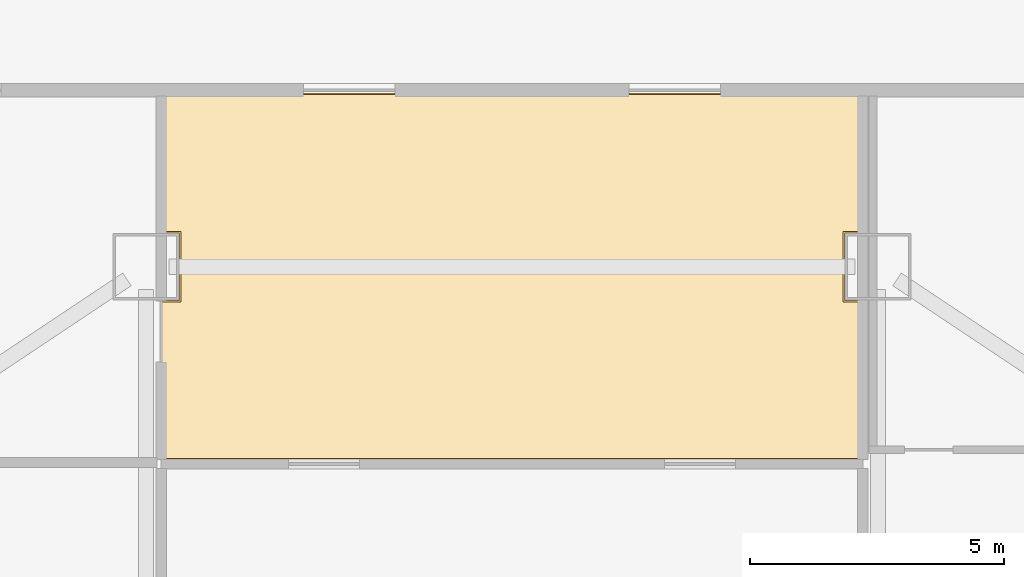
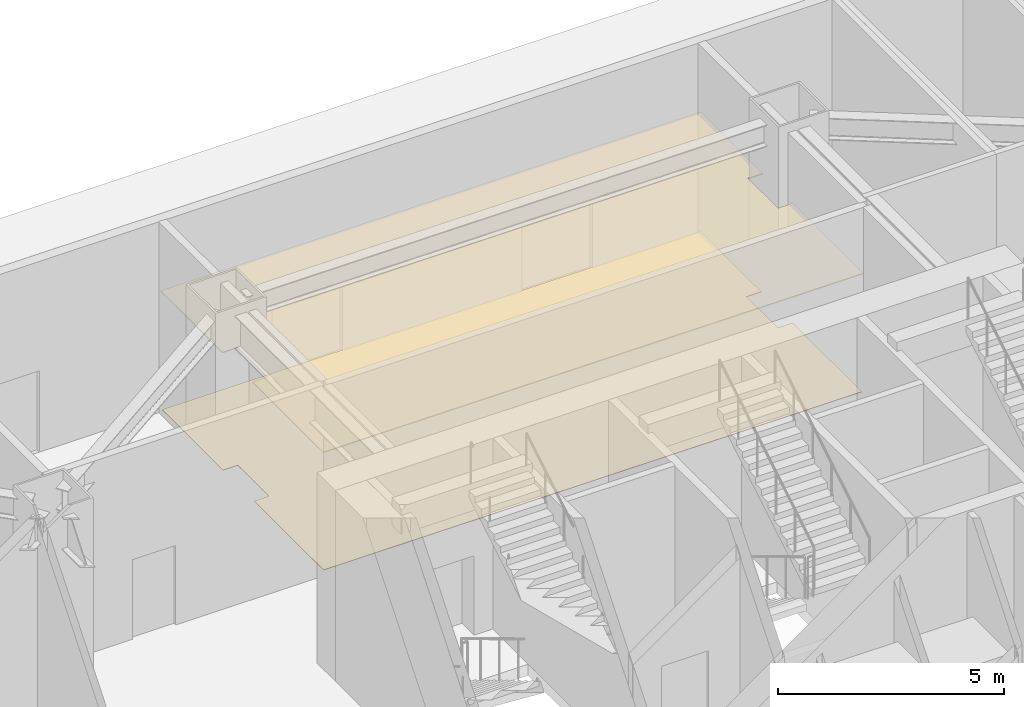
# One storey, part 18 of 20: 2 coverings.
"""IFC4 building model written with IfcOpenShell, lengths in metres."""

from ifc_helpers import new_model, si_unit, direction, frame, origin, place, context, subcontext, project, spatial, polyline, outline, extrude, material, layer, layer_set, type_object, element, save


model = new_model("IFC4")

# Units and contexts
model_context = context("Model", 3, precision=1e-05, world=origin(), true_north=direction((0.0, 1.0)))
body_context = subcontext(model_context, "Body", "Model", "MODEL_VIEW")
ifc_project = project(units=[si_unit("LENGTHUNIT", "METRE"), si_unit("AREAUNIT", "SQUARE_METRE"), si_unit("VOLUMEUNIT", "CUBIC_METRE"), si_unit("PLANEANGLEUNIT", "RADIAN"), si_unit("MASSUNIT", "GRAM", prefix="KILO")], contexts=[model_context])

# Site, building, storey
site_placement = place(None, origin())
site = spatial("IfcSite", under=ifc_project, at=site_placement, CompositionType="ELEMENT")
building_placement = place(site_placement, origin())
building = spatial("IfcBuilding", under=site, at=building_placement, Name="Haolan Belvedere Tower", CompositionType="ELEMENT")
storey_placement = place(building_placement, origin())
storey = spatial("IfcBuildingStorey", under=building, at=storey_placement, Name="L00", CompositionType="ELEMENT", Elevation=0.0)

# Coverings
ifc_material_1 = material(Name="Acoustic mineral-fibre suspended ceiling system", Category="masonry")
ifc_layer_1 = layer(ifc_material_1, 0.02490234375, Name="Acoustic mineral-fibre suspended ceiling system")
ifc_layer_set_1 = layer_set([ifc_layer_1], Name="Acoustic mineral-fibre suspended ceiling system")
covering_type_1 = type_object("IfcCoveringType", Name="COV-CEIL-AC25", PredefinedType="CEILING", material=ifc_layer_set_1)
covering_1_placement = place(storey_placement, frame((0.0, 0.0, 3.199951171875)))
element("IfcCovering", 1, at=covering_1_placement, inside=storey, type_object=covering_type_1, Name="L00 suspended acoustic ceiling L00-EXP-N.2", PredefinedType="CEILING", context=body_context, shape_type="SweptSolid", body=[
    extrude(outline(polyline([(45.31201171875, 49.735107421875), (44.93505859375, 49.735107421875), (44.93505859375, 51.06494140625), (45.31201171875, 51.06494140625), (45.31201171875, 53.81201171875), (31.488037109375, 53.81201171875), (31.488037109375, 51.06494140625), (31.864990234375, 51.06494140625), (31.864990234375, 49.735107421875), (31.488037109375, 49.735107421875), (31.488037109375, 46.60791015625), (45.31201171875, 46.60791015625), (45.31201171875, 49.735107421875)])), origin(), (0.0, 0.0, 1.0), 0.025146484375),
])
ifc_material_2 = material(Name="Honed terrazzo and natural granite stone flooring", Category="masonry")
ifc_layer_2 = layer(ifc_material_2, 0.014892578125, Name="Honed terrazzo and natural granite stone flooring")
ifc_layer_set_2 = layer_set([ifc_layer_2], Name="Honed terrazzo and natural granite stone flooring")
covering_type_2 = type_object("IfcCoveringType", Name="COV-FLR-STN30", PredefinedType="FLOORING", material=ifc_layer_set_2)
covering_2_placement = place(storey_placement, origin())
element("IfcCovering", 2, at=covering_2_placement, inside=storey, type_object=covering_type_2, Name="L00 polished stone floor finish L00-EXP-N.2", PredefinedType="FLOORING", context=body_context, shape_type="SweptSolid", body=[
    extrude(outline(polyline([(44.909912109375, 49.7099609375), (44.909912109375, 51.090087890625), (45.287109375, 51.090087890625), (45.287109375, 53.787109375), (31.512939453125, 53.787109375), (31.512939453125, 51.090087890625), (31.889892578125, 51.090087890625), (31.889892578125, 49.7099609375), (31.512939453125, 49.7099609375), (31.512939453125, 46.633056640625), (45.287109375, 46.633056640625), (45.287109375, 49.7099609375), (44.909912109375, 49.7099609375)])), origin(), (0.0, 0.0, 1.0), 0.014892578125),
])

save(model, "model.ifc")
